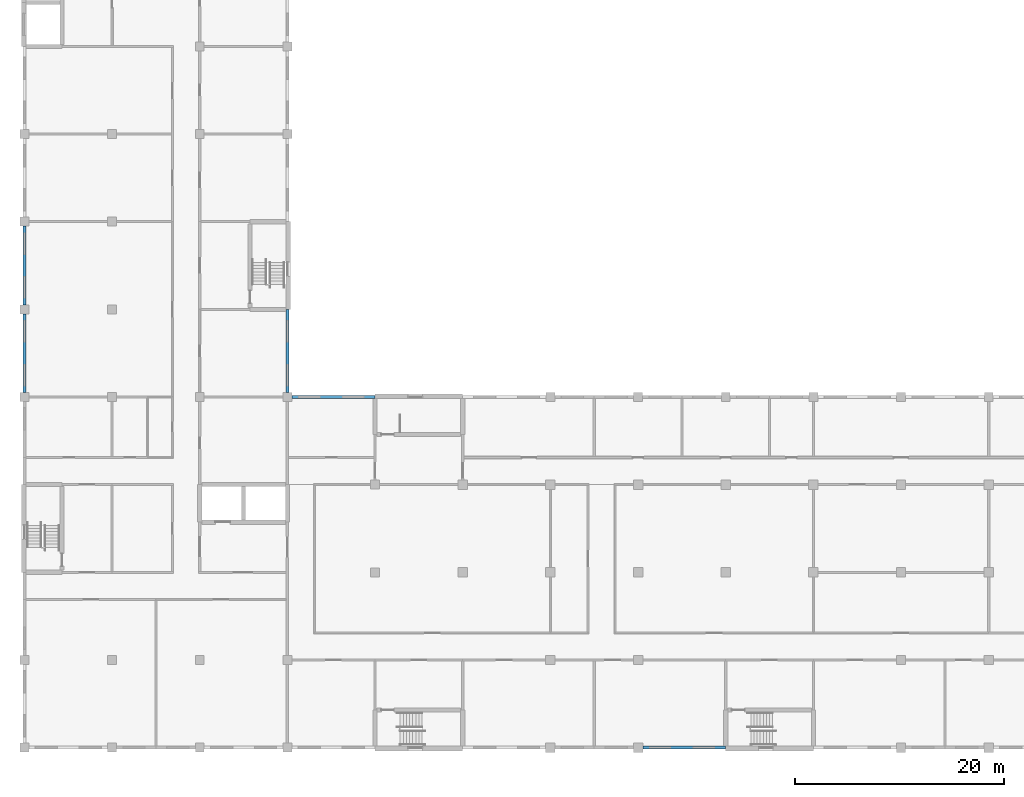
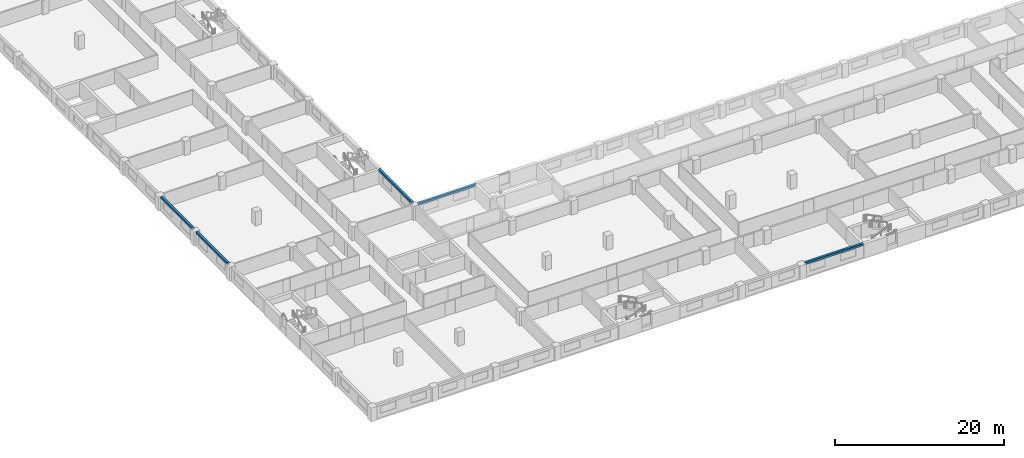
# One storey, part 4 of 48: 5 beams.
"""IFC4 building model written with IfcOpenShell, lengths in metres."""

from ifc_helpers import new_model, si_unit, direction, frame, origin, origin_2d, place, context, subcontext, project, spatial, rectangle, extrude, material, material_profile, profile_set, type_object, element, save


model = new_model("IFC4")

# Units and contexts
model_context = context("Model", 3, precision=1e-05, world=origin(), true_north=direction((0.0, 1.0)))
body_context = subcontext(model_context, "Body", "Model", "MODEL_VIEW")
ifc_project = project(units=[si_unit("LENGTHUNIT", "METRE"), si_unit("AREAUNIT", "SQUARE_METRE"), si_unit("VOLUMEUNIT", "CUBIC_METRE"), si_unit("PLANEANGLEUNIT", "RADIAN"), si_unit("MASSUNIT", "GRAM", prefix="KILO")], contexts=[model_context])

# Site, building, storey
site_placement = place(None, origin())
site = spatial("IfcSite", under=ifc_project, at=site_placement, CompositionType="ELEMENT")
building_placement = place(site_placement, origin())
building = spatial("IfcBuilding", under=site, at=building_placement, Name="Yavir Park General Hospital", CompositionType="ELEMENT")
storey_placement = place(building_placement, frame((0.0, 0.0, 12.89990234375)))
storey = spatial("IfcBuildingStorey", under=building, at=storey_placement, Name="I02", CompositionType="ELEMENT", Elevation=12.89990234375)

# Beams
ifc_material = material(Name="Concrete C35/45", Category="concrete")
ifc_material_profile = material_profile(ifc_material, rectangle(XDim=0.300048828125, YDim=0.300048828125, at=origin_2d()), Name="RC300x300")
ifc_profile_set = profile_set([ifc_material_profile], Name="Concrete C35/45")
beam_type = type_object("IfcBeamType", Name="RC BEAM 300x300 edge beam", PredefinedType="BEAM", material=ifc_profile_set)
beam_1_placement = place(storey_placement, frame((59.25, 0.0, 1.89013671875), z_axis=(1.0, 0.0, 0.0), x_axis=(0.0, 1.0, 0.0)))
element("IfcBeam", 1, at=beam_1_placement, inside=storey, type_object=beam_type, Name="B:EDGE:I02:007", PredefinedType="BEAM", context=body_context, shape_type="SweptSolid", body=[
    extrude(rectangle(XDim=0.300048828125, YDim=0.300048828125, at=origin_2d()), origin(), (0.0, 0.0, 1.0), 7.949951171875),
])
beam_2_placement = place(storey_placement, frame((25.625, 33.60009765625, 1.89013671875), z_axis=(1.0, 0.0, 0.0), x_axis=(0.0, 1.0, 0.0)))
element("IfcBeam", 2, at=beam_2_placement, inside=storey, type_object=beam_type, Name="B:EDGE:I02:016", PredefinedType="BEAM", context=body_context, shape_type="SweptSolid", body=[
    extrude(rectangle(XDim=0.300048828125, YDim=0.300048828125, at=origin_2d()), origin(), (0.0, 0.0, 1.0), 7.97509765625),
])
for number, where, z_axis, x_axis, name in (
    (3, (0.0, 34.02490234375, 1.89013671875), (0.0, 1.0, 0.0), (-1.0, 0.0, 0.0), "B:EDGE:I02:034"),
    (4, (0.0, 42.425048828125, 1.89013671875), (0.0, 1.0, 0.0), (-1.0, 0.0, 0.0), "B:EDGE:I02:035"),
):
    element("IfcBeam", number, at=place(storey_placement, frame(where, z_axis=z_axis, x_axis=x_axis)), inside=storey, type_object=beam_type, Name=name, PredefinedType="BEAM", context=body_context, shape_type="SweptSolid", body=[
        extrude(rectangle(XDim=0.300048828125, YDim=0.300048828125, at=origin_2d()), origin(), (0.0, 0.0, 1.0), 7.550048828125),
    ])
beam_3_placement = place(storey_placement, frame((25.199951171875, 34.02490234375, 1.89013671875), z_axis=(0.0, 1.0, 0.0), x_axis=(-1.0, 0.0, 0.0)))
element("IfcBeam", 5, at=beam_3_placement, inside=storey, type_object=beam_type, Name="B:EDGE:I02:043", PredefinedType="BEAM", context=body_context, shape_type="SweptSolid", body=[
    extrude(rectangle(XDim=0.300048828125, YDim=0.300048828125, at=origin_2d()), origin(), (0.0, 0.0, 1.0), 7.97509765625),
])

save(model, "model.ifc")
